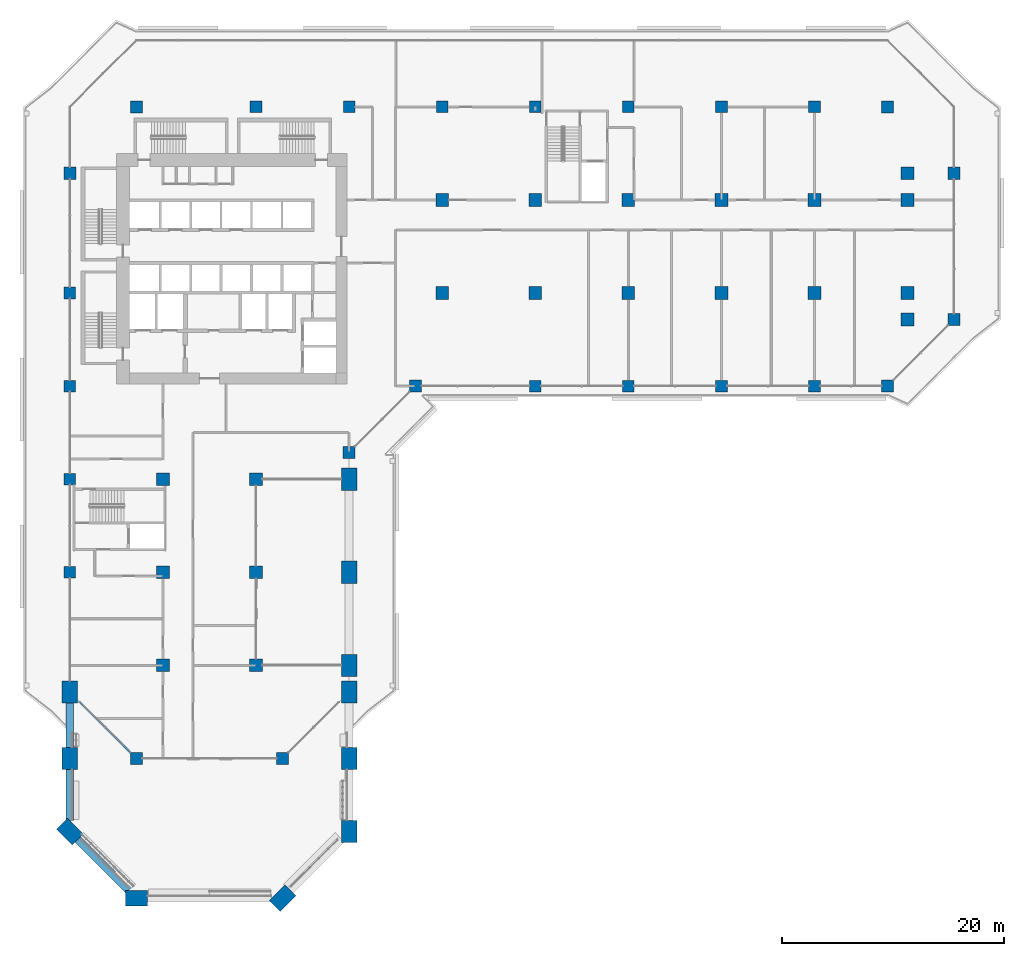
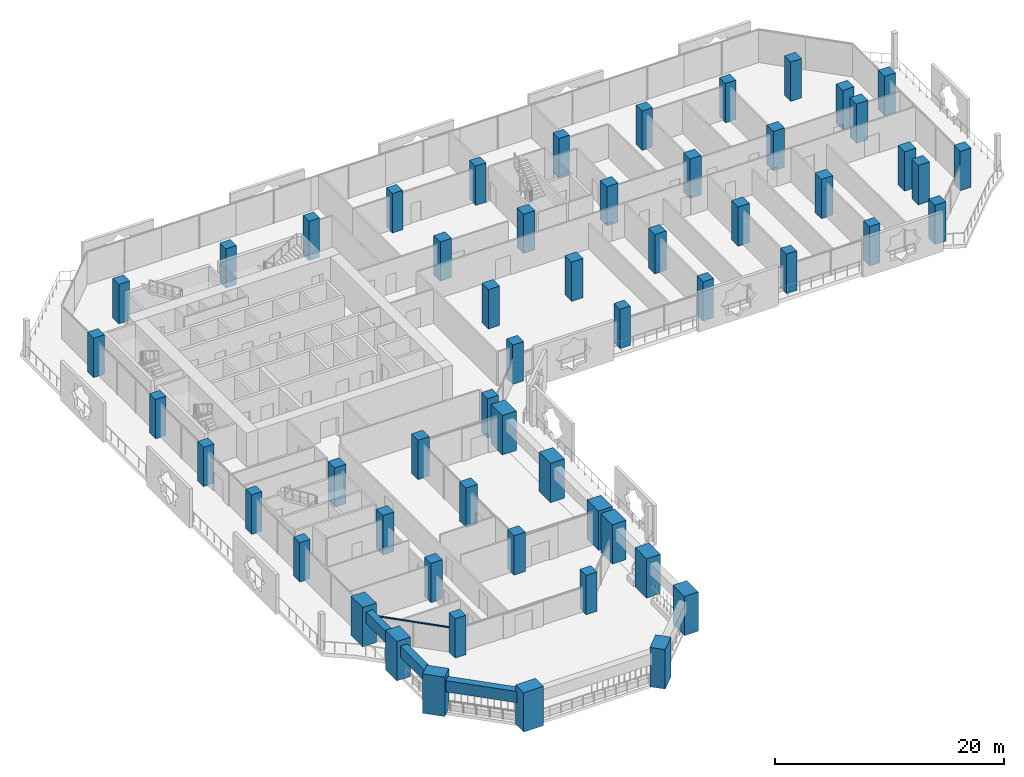
# One storey, part 1 of 25: 56 columns, 3 beams, 1 member, 1 element without a shape of its own.
"""IFC4 building model written with IfcOpenShell, lengths in metres."""

from ifc_helpers import new_model, si_unit, direction, frame, origin, origin_2d, place, context, subcontext, project, spatial, rectangle, extrude, material, layer, layer_set, material_profile, profile_set, type_object, element, aggregate, save


model = new_model("IFC4")

# Units and contexts
model_context = context("Model", 3, precision=1e-05, world=origin(), true_north=direction((0.0, 1.0)))
body_context = subcontext(model_context, "Body", "Model", "MODEL_VIEW")
ifc_project = project(units=[si_unit("LENGTHUNIT", "METRE"), si_unit("AREAUNIT", "SQUARE_METRE"), si_unit("VOLUMEUNIT", "CUBIC_METRE"), si_unit("PLANEANGLEUNIT", "RADIAN"), si_unit("MASSUNIT", "GRAM", prefix="KILO")], contexts=[model_context])

# Site, building, storey
site_placement = place(None, origin())
site = spatial("IfcSite", under=ifc_project, at=site_placement, CompositionType="ELEMENT")
building_placement = place(site_placement, origin())
building = spatial("IfcBuilding", under=site, at=building_placement, Name="Kawkab Arch Medical Tower", CompositionType="ELEMENT")
storey_placement = place(building_placement, frame((0.0, 0.0, 98.800048828125)))
storey = spatial("IfcBuildingStorey", under=building, at=storey_placement, Name="L22", CompositionType="ELEMENT", Elevation=98.800048828125)

# Columns
ifc_material_1 = material(Name="Concrete C55/67", Category="concrete")
ifc_material_profile_1 = material_profile(ifc_material_1, rectangle(XDim=1.050048828125, YDim=1.050048828125, at=origin_2d()), Name="RC 1050x1050")
ifc_profile_set_1 = profile_set([ifc_material_profile_1], Name="Concrete C55/67")
column_type_1 = type_object("IfcColumnType", Name="RC 1050x1050 column C55/67", PredefinedType="COLUMN", material=ifc_profile_set_1)
for number, where, z_axis, x_axis, name in (
    (1, (16.800048828125, 0.0, 0.0), (0.0, 0.0, 1.0), (1.0, 0.0, 0.0), "Column RC 1050x1050"),
    (2, (25.199951171875, 0.0, 0.0), (0.0, 0.0, 1.0), (1.0, 0.0, 0.0), "Column RC 1050x1050"),
    (3, (33.60009765625, 0.0, 0.0), (0.0, 0.0, 1.0), (1.0, 0.0, 0.0), "Column RC 1050x1050"),
    (4, (42.0, 0.0, 0.0), (0.0, 0.0, 1.0), (1.0, 0.0, 0.0), "Column RC 1050x1050"),
    (5, (50.39990234375, 0.0, 0.0), (0.0, 0.0, 1.0), (1.0, 0.0, 0.0), "Column RC 1050x1050"),
    (6, (58.800048828125, 0.0, 0.0), (0.0, 0.0, 1.0), (1.0, 0.0, 0.0), "Column RC 1050x1050"),
    (7, (67.199951171875, 0.0, 0.0), (0.0, 0.0, 1.0), (1.0, 0.0, 0.0), "Column RC 1050x1050"),
    (8, (0.0, -16.800048828125, 0.0), (0.0, 0.0, 1.0), (1.0, 0.0, 0.0), "Column RC 1050x1050"),
    (9, (0.0, -25.199951171875, 0.0), (0.0, 0.0, 1.0), (1.0, 0.0, 0.0), "Column RC 1050x1050"),
    (10, (42.0, -25.199951171875, 0.0), (0.0, 0.0, 1.0), (1.0, 0.0, 0.0), "Column RC 1050x1050"),
    (11, (50.39990234375, -25.199951171875, 0.0), (0.0, 0.0, 1.0), (1.0, 0.0, 0.0), "Column RC 1050x1050"),
    (12, (58.800048828125, -25.199951171875, 0.0), (0.0, 0.0, 1.0), (1.0, 0.0, 0.0), "Column RC 1050x1050"),
    (13, (67.199951171875, -25.199951171875, 0.0), (0.0, 0.0, 1.0), (1.0, 0.0, 0.0), "Column RC 1050x1050"),
    (14, (0.0, -33.60009765625, 0.0), (0.0, 0.0, 1.0), (1.0, 0.0, 0.0), "Column RC 1050x1050"),
    (15, (0.0, -42.0, 0.0), (0.0, 0.0, 1.0), (1.0, 0.0, 0.0), "Column RC 1050x1050"),
):
    element("IfcColumn", number, at=place(storey_placement, frame(where, z_axis=z_axis, x_axis=x_axis)), inside=storey, type_object=column_type_1, Name=name, PredefinedType="COLUMN", context=body_context, shape_type="SweptSolid", body=[
        extrude(rectangle(XDim=1.050048828125, YDim=1.050048828125, at=origin_2d()), origin(), (0.0, 0.0, 1.0), 4.199951171875),
    ])
ifc_material_2 = material(Name="Concrete C55/67", Category="concrete")
ifc_material_profile_2 = material_profile(ifc_material_2, rectangle(XDim=1.10009765625, YDim=1.10009765625, at=origin_2d()), Name="RC 1100x1100")
ifc_profile_set_2 = profile_set([ifc_material_profile_2], Name="Concrete C55/67")
column_type_2 = type_object("IfcColumnType", Name="RC 1100x1100 column C55/67", PredefinedType="COLUMN", material=ifc_profile_set_2)
for number, where, z_axis, x_axis, name in (
    (16, (6.0, 0.0, 0.0), (0.0, 0.0, 1.0), (1.0, 0.0, 0.0), "Column RC 1100x1100"),
    (17, (73.800048828125, 0.0, 0.0), (0.0, 0.0, 1.0), (1.0, 0.0, 0.0), "Column RC 1100x1100"),
    (18, (0.0, -6.0, 0.0), (0.0, 0.0, 1.0), (1.0, 0.0, 0.0), "Column RC 1100x1100"),
    (19, (79.800048828125, -6.0, 0.0), (0.0, 0.0, 1.0), (1.0, 0.0, 0.0), "Column RC 1100x1100"),
    (20, (79.800048828125, -19.199951171875, 0.0), (0.0, 0.0, 1.0), (1.0, 0.0, 0.0), "Column RC 1100x1100"),
    (21, (31.199951171875, -25.199951171875, 0.0), (0.0, 0.0, 1.0), (1.0, 0.0, 0.0), "Column RC 1100x1100"),
    (22, (73.800048828125, -25.199951171875, 0.0), (0.0, 0.0, 1.0), (1.0, 0.0, 0.0), "Column RC 1100x1100"),
    (23, (25.199951171875, -31.199951171875, 0.0), (0.0, 0.0, 1.0), (1.0, 0.0, 0.0), "Column RC 1100x1100"),
    (24, (6.0, -58.800048828125, 0.0), (0.0, 0.0, 1.0), (1.0, 0.0, 0.0), "Column RC 1100x1100"),
    (25, (19.199951171875, -58.800048828125, 0.0), (0.0, 0.0, 1.0), (1.0, 0.0, 0.0), "Column RC 1100x1100"),
):
    element("IfcColumn", number, at=place(storey_placement, frame(where, z_axis=z_axis, x_axis=x_axis)), inside=storey, type_object=column_type_2, Name=name, PredefinedType="COLUMN", context=body_context, shape_type="SweptSolid", body=[
        extrude(rectangle(XDim=1.10009765625, YDim=1.10009765625, at=origin_2d()), origin(), (0.0, 0.0, 1.0), 4.199951171875),
    ])
ifc_material_3 = material(Name="Concrete C55/67", Category="concrete")
ifc_material_profile_3 = material_profile(ifc_material_3, rectangle(XDim=1.14990234375, YDim=1.14990234375, at=origin_2d()), Name="RC 1150x1150")
ifc_profile_set_3 = profile_set([ifc_material_profile_3], Name="Concrete C55/67")
column_type_3 = type_object("IfcColumnType", Name="RC 1150x1150 column C55/67", PredefinedType="COLUMN", material=ifc_profile_set_3)
for number, where, z_axis, x_axis, name in (
    (26, (75.60009765625, -6.0, 0.0), (0.0, 0.0, 1.0), (1.0, 0.0, 0.0), "Column RC 1150x1150"),
    (27, (33.60009765625, -8.39990234375, 0.0), (0.0, 0.0, 1.0), (1.0, 0.0, 0.0), "Column RC 1150x1150"),
    (28, (42.0, -8.39990234375, 0.0), (0.0, 0.0, 1.0), (1.0, 0.0, 0.0), "Column RC 1150x1150"),
    (29, (50.39990234375, -8.39990234375, 0.0), (0.0, 0.0, 1.0), (1.0, 0.0, 0.0), "Column RC 1150x1150"),
    (30, (58.800048828125, -8.39990234375, 0.0), (0.0, 0.0, 1.0), (1.0, 0.0, 0.0), "Column RC 1150x1150"),
    (31, (67.199951171875, -8.39990234375, 0.0), (0.0, 0.0, 1.0), (1.0, 0.0, 0.0), "Column RC 1150x1150"),
    (32, (75.60009765625, -8.39990234375, 0.0), (0.0, 0.0, 1.0), (1.0, 0.0, 0.0), "Column RC 1150x1150"),
    (33, (33.60009765625, -16.800048828125, 0.0), (0.0, 0.0, 1.0), (1.0, 0.0, 0.0), "Column RC 1150x1150"),
    (34, (42.0, -16.800048828125, 0.0), (0.0, 0.0, 1.0), (1.0, 0.0, 0.0), "Column RC 1150x1150"),
    (35, (50.39990234375, -16.800048828125, 0.0), (0.0, 0.0, 1.0), (1.0, 0.0, 0.0), "Column RC 1150x1150"),
    (36, (58.800048828125, -16.800048828125, 0.0), (0.0, 0.0, 1.0), (1.0, 0.0, 0.0), "Column RC 1150x1150"),
    (37, (67.199951171875, -16.800048828125, 0.0), (0.0, 0.0, 1.0), (1.0, 0.0, 0.0), "Column RC 1150x1150"),
    (38, (75.60009765625, -16.800048828125, 0.0), (0.0, 0.0, 1.0), (1.0, 0.0, 0.0), "Column RC 1150x1150"),
    (39, (75.60009765625, -19.199951171875, 0.0), (0.0, 0.0, 1.0), (1.0, 0.0, 0.0), "Column RC 1150x1150"),
    (40, (8.39990234375, -33.60009765625, 0.0), (0.0, 0.0, 1.0), (1.0, 0.0, 0.0), "Column RC 1150x1150"),
    (41, (16.800048828125, -33.60009765625, 0.0), (0.0, 0.0, 1.0), (1.0, 0.0, 0.0), "Column RC 1150x1150"),
    (42, (8.39990234375, -42.0, 0.0), (0.0, 0.0, 1.0), (1.0, 0.0, 0.0), "Column RC 1150x1150"),
    (43, (16.800048828125, -42.0, 0.0), (0.0, 0.0, 1.0), (1.0, 0.0, 0.0), "Column RC 1150x1150"),
    (44, (8.39990234375, -50.39990234375, 0.0), (0.0, 0.0, 1.0), (1.0, 0.0, 0.0), "Column RC 1150x1150"),
    (45, (16.800048828125, -50.39990234375, 0.0), (0.0, 0.0, 1.0), (1.0, 0.0, 0.0), "Column RC 1150x1150"),
):
    element("IfcColumn", number, at=place(storey_placement, frame(where, z_axis=z_axis, x_axis=x_axis)), inside=storey, type_object=column_type_3, Name=name, PredefinedType="COLUMN", context=body_context, shape_type="SweptSolid", body=[
        extrude(rectangle(XDim=1.14990234375, YDim=1.14990234375, at=origin_2d()), origin(), (0.0, 0.0, 1.0), 4.199951171875),
    ])
ifc_material_4 = material(Name="Concrete C55/67", Category="concrete")
ifc_material_profile_4 = material_profile(ifc_material_4, rectangle(XDim=2.0, YDim=1.39990234375, at=origin_2d()), Name="RC 2000x1400")
ifc_profile_set_4 = profile_set([ifc_material_profile_4], Name="Concrete C55/67")
column_type_4 = type_object("IfcColumnType", Name="RC 2000x1400 column C55/67", PredefinedType="COLUMN", material=ifc_profile_set_4)
for number, where, z_axis, x_axis, name in (
    (46, (25.199951171875, -42.0, 0.0), (0.0, 0.0, 1.0), (0.0, -1.0, 0.0), "Column RC 2000x1400"),
    (47, (0.0, -52.800048828125, 0.0), (0.0, 0.0, 1.0), (0.0, 1.0, 0.0), "Column RC 2000x1400"),
    (48, (25.199951171875, -52.800048828125, 0.0), (0.0, 0.0, 1.0), (0.0, -1.0, 0.0), "Column RC 2000x1400"),
    (49, (25.199951171875, -58.800048828125, 0.0), (0.0, 0.0, 1.0), (0.0, -1.0, 0.0), "Column RC 2000x1400"),
    (50, (25.199951171875, -65.39990234375, 0.0), (0.0, 0.0, 1.0), (0.0, -1.0, 0.0), "Column RC 2000x1400"),
    (51, (19.199951171875, -71.39990234375, 0.0), (0.0, 0.0, 1.0), (-0.707106781187, -0.707106781187, 0.0), "Column RC 2000x1400"),
    (52, (6.0, -71.39990234375, 0.0), (0.0, 0.0, 1.0), (-1.0, 0.0, 0.0), "Column RC 2000x1400"),
    (53, (0.0, -65.39990234375, 0.0), (0.0, 0.0, 1.0), (-0.707106781187, 0.707106781187, 0.0), "Column RC 2000x1400"),
    (54, (0.0, -58.800048828125, 0.0), (0.0, 0.0, 1.0), (0.0, 1.0, 0.0), "Column RC 2000x1400"),
    (55, (25.199951171875, -33.60009765625, 0.0), (0.0, 0.0, 1.0), (0.0, -1.0, 0.0), "Column RC 2000x1400"),
    (56, (25.199951171875, -50.39990234375, 0.0), (0.0, 0.0, 1.0), (0.0, -1.0, 0.0), "Column RC 2000x1400"),
):
    element("IfcColumn", number, at=place(storey_placement, frame(where, z_axis=z_axis, x_axis=x_axis)), inside=storey, type_object=column_type_4, Name=name, PredefinedType="COLUMN", context=body_context, shape_type="SweptSolid", body=[
        extrude(rectangle(XDim=2.0, YDim=1.39990234375, at=origin_2d()), origin(), (0.0, 0.0, 1.0), 4.199951171875),
    ])

# Curtain wall, member
ifc_material_5 = material(Name="Bronze anodised aluminium curtain wall frame", Category="aluminium")
ifc_layer = layer(ifc_material_5, 0.159912109375)
ifc_layer_set = layer_set([ifc_layer], Name="Bronze anodised aluminium curtain wall frame")
curtain_wall_type = type_object("IfcCurtainWallType", Name="CW2 chamfer curtain wall", PredefinedType="NOTDEFINED", material=ifc_layer_set)
curtain_wall_placement = place(storey_placement, origin())
curtain_wall = element("IfcCurtainWall", 57, at=curtain_wall_placement, inside=storey, type_object=curtain_wall_type, Name="CW2 Chamfer curtain wall R14", PredefinedType="NOTDEFINED")
ifc_material_6 = material(Name="Bronze anodised aluminium curtain wall frame", Category="aluminium")
ifc_material_profile_5 = material_profile(ifc_material_6, rectangle(XDim=0.06005859375, YDim=0.139892578125, at=origin_2d()), Name="AL 60x140")
ifc_profile_set_5 = profile_set([ifc_material_profile_5], Name="Bronze anodised aluminium curtain wall frame")
member_type = type_object("IfcMemberType", Name="CW2 transom 140 x 60", PredefinedType="USERDEFINED", material=ifc_profile_set_5)
member_placement = place(storey_placement, frame((0.930419921875, -53.730224609375, 2.6298828125), z_axis=(0.707087682839, -0.707125879019, 0.0), x_axis=(0.707125879019, 0.707087682839, 0.0)))
member = element("IfcMember", 58, at=member_placement, type_object=member_type, Name="CW2 transom 1", ObjectType="TRANSOM", PredefinedType="USERDEFINED", context=body_context, shape_type="SweptSolid", body=[
    extrude(rectangle(XDim=0.06005859375, YDim=0.139892578125, at=origin_2d()), origin(), (0.0, 0.0, 1.0), 6.391845703125),
])
aggregate(curtain_wall, [member])

# Beams
ifc_material_7 = material(Name="Concrete C55/67", Category="concrete")
ifc_material_profile_6 = material_profile(ifc_material_7, rectangle(XDim=0.699951171875, YDim=1.199951171875, at=origin_2d()), Name="RC 700x1200")
ifc_profile_set_6 = profile_set([ifc_material_profile_6], Name="Concrete C55/67")
beam_type = type_object("IfcBeamType", Name="RC 700x1200 beam C55/67", PredefinedType="BEAM", material=ifc_profile_set_6)
beam_1_placement = place(storey_placement, frame((5.300048828125, -70.699951171875, 3.0), z_axis=(-0.707125574473, 0.707087987401, 0.0), x_axis=(-0.707087987401, -0.707125574473, 0.0)))
element("IfcBeam", 59, at=beam_1_placement, inside=storey, type_object=beam_type, Name="Terrace frame beam TF-L22-1-L23-05", PredefinedType="BEAM", context=body_context, shape_type="SweptSolid", body=[
    extrude(rectangle(XDim=0.699951171875, YDim=1.199951171875, at=origin_2d()), origin(), (0.0, 0.0, 1.0), 6.495361328125),
])
beam_2_placement = place(storey_placement, frame((0.0, -64.41015625, 3.0), z_axis=(0.0, 1.0, 0.0), x_axis=(-1.0, 0.0, 0.0)))
element("IfcBeam", 60, at=beam_2_placement, inside=storey, type_object=beam_type, Name="Terrace frame beam TF-L22-1-L23-06", PredefinedType="BEAM", context=body_context, shape_type="SweptSolid", body=[
    extrude(rectangle(XDim=0.699951171875, YDim=1.199951171875, at=origin_2d()), origin(), (0.0, 0.0, 1.0), 4.610107421875),
])
beam_3_placement = place(storey_placement, frame((0.0, -57.800048828125, 3.0), z_axis=(0.0, 1.0, 0.0), x_axis=(-1.0, 0.0, 0.0)))
element("IfcBeam", 61, at=beam_3_placement, inside=storey, type_object=beam_type, Name="Terrace frame beam TF-L22-1-L23-07", PredefinedType="BEAM", context=body_context, shape_type="SweptSolid", body=[
    extrude(rectangle(XDim=0.699951171875, YDim=1.199951171875, at=origin_2d()), origin(), (0.0, 0.0, 1.0), 4.0),
])

save(model, "model.ifc")
